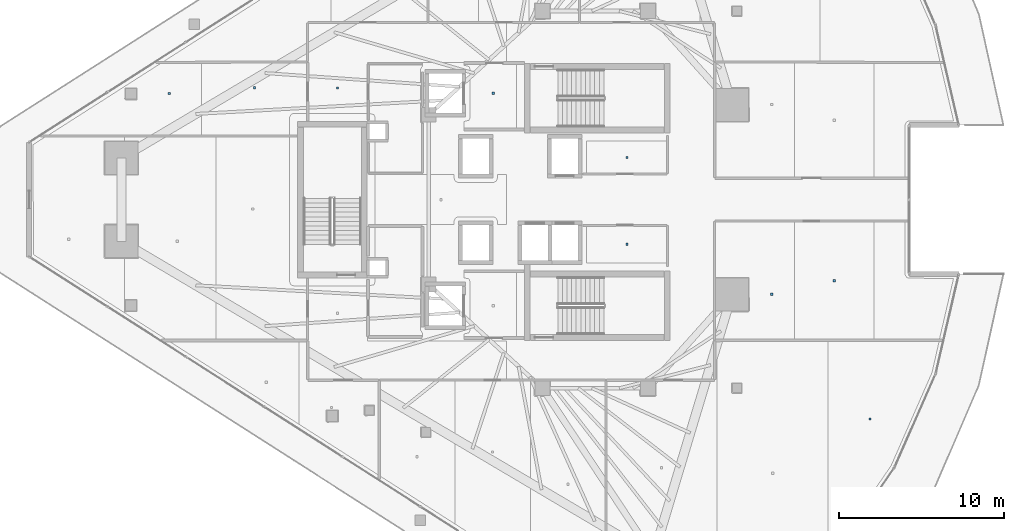
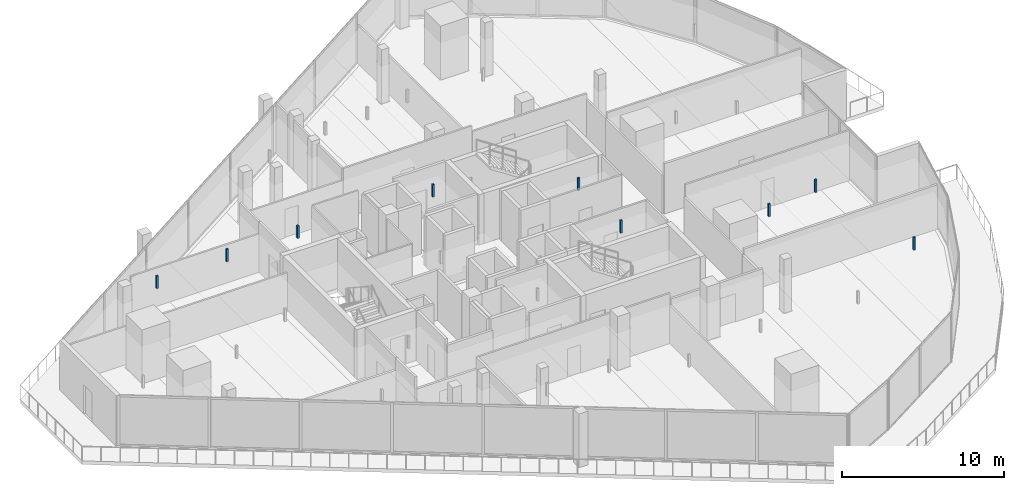
# One storey, part 29 of 36: 9 discrete accessories.
"""IFC4 building model written with IfcOpenShell, lengths in metres."""

import ifcopenshell
import ifcopenshell.guid

model = None  # the IFC model being written
_history = None  # IfcOwnerHistory: only IFC2X3 demands one
_inside = {}  # id of a spatial element -> (the spatial element, [elements in it])
_under = {}  # id of a project, library or spatial element -> (it, [spatial elements below it])
_declared = {}  # id of a project -> (the project, [libraries it declares])
_typed = {}  # id of a type object -> (the type object, [elements of that type])
_made_of = {}  # id of a material, layer set ... -> (it, [elements and type objects made of it])


def new_model(schema):
    """Start an empty IFC model of exactly this schema.

    Asked for "IFC4X3", IfcOpenShell would pick the latest addendum, in which some entities
    have other attributes; the version numbers below select the first issue.
    IFC2X3 requires an IfcOwnerHistory on every rooted entity: one is made here for all.
    """
    global model, _history
    if schema == "IFC4X3":
        model = ifcopenshell.file(schema_version=(4, 3, 0, 0))
    else:
        model = ifcopenshell.file(schema=schema)
    _inside.clear()
    _under.clear()
    _declared.clear()
    _typed.clear()
    _made_of.clear()
    _history = None
    if model.schema == "IFC2X3":
        org = make("IfcOrganization", Name="unknown")
        user = make(
            "IfcPersonAndOrganization",
            ThePerson=make("IfcPerson", FamilyName="unknown"),
            TheOrganization=org,
        )
        app = make(
            "IfcApplication",
            ApplicationDeveloper=org,
            Version="unknown",
            ApplicationFullName="unknown",
            ApplicationIdentifier="unknown",
        )
        _history = make(
            "IfcOwnerHistory",
            OwningUser=user,
            OwningApplication=app,
            ChangeAction="ADDED",
            CreationDate=0,
        )
    return model


def make(cls, **values):
    """One entity of the class cls with the attributes given. An attribute that is None is left unset."""
    return model.create_entity(
        cls, **{name: value for name, value in values.items() if value is not None}
    )


def rooted(cls, **values):
    """An entity with a GlobalId (a new one), such as an element, a storey or a relation."""
    return make(cls, GlobalId=ifcopenshell.guid.new(), OwnerHistory=_history, **values)


def si_unit(unit_type, name, prefix=None):
    """IfcSIUnit, for example si_unit("LENGTHUNIT", "METRE", prefix="MILLI")."""
    return make("IfcSIUnit", UnitType=unit_type, Prefix=prefix, Name=name)


def assignment(units):
    """IfcUnitAssignment: the units of a project."""
    return None if units is None else make("IfcUnitAssignment", Units=units)


def point(xyz):
    """IfcCartesianPoint."""
    return None if xyz is None else make("IfcCartesianPoint", Coordinates=xyz)


def direction(xyz):
    """IfcDirection."""
    return None if xyz is None else make("IfcDirection", DirectionRatios=xyz)


def frame(location, z_axis=None, x_axis=None):
    """IfcAxis2Placement3D, a coordinate frame: its origin and axes. An axis left out is left unset."""
    return make(
        "IfcAxis2Placement3D",
        Location=point(location),
        Axis=direction(z_axis),
        RefDirection=direction(x_axis),
    )


def frame_2d(location, x_axis=None):
    """IfcAxis2Placement2D, a coordinate frame in the plane: its origin and x axis."""
    return make(
        "IfcAxis2Placement2D", Location=point(location), RefDirection=direction(x_axis)
    )


def origin():
    """The frame at (0, 0, 0) with its axes left unset."""
    return frame((0.0, 0.0, 0.0))


def origin_2d():
    """The frame at (0, 0) in the plane with its x axis left unset."""
    return frame_2d((0.0, 0.0))


def place(relative_to, where):
    """IfcLocalPlacement: puts the frame where relative to a parent placement (None: the world)."""
    return make(
        "IfcLocalPlacement", PlacementRelTo=relative_to, RelativePlacement=where
    )


def context(
    kind, dimensions, precision=None, world=None, true_north=None, identifier=None
):
    """IfcGeometricRepresentationContext, for example the 3D "Model" context."""
    return make(
        "IfcGeometricRepresentationContext",
        ContextIdentifier=identifier,
        ContextType=kind,
        CoordinateSpaceDimension=dimensions,
        Precision=precision,
        WorldCoordinateSystem=world,
        TrueNorth=true_north,
    )


def subcontext(parent, identifier, kind, view, scale=None):
    """IfcGeometricRepresentationSubContext, for example "Body" below "Model"."""
    return make(
        "IfcGeometricRepresentationSubContext",
        ContextIdentifier=identifier,
        ContextType=kind,
        ParentContext=parent,
        TargetScale=scale,
        TargetView=view,
    )


def project(units=None, contexts=None):
    """IfcProject with its units and contexts."""
    return rooted(
        "IfcProject",
        Name="project",
        RepresentationContexts=contexts,
        UnitsInContext=assignment(units),
    )


def spatial(cls, under=None, at=None, **own):
    """A site, building, storey or space (cls), placed at a placement, below another one or the project."""
    s = rooted(cls, ObjectPlacement=at, **own)
    if under is not None:
        _under.setdefault(under.id(), (under, []))[1].append(s)
    return s


def profile(cls, at=None, kind="AREA", **sizes):
    """A parametric profile (cls). Its sizes go by their IFC names, for example OverallWidth=200.0."""
    return make(cls, ProfileType=kind, Position=at, **sizes)


def rectangle(**sizes):
    """IfcRectangleProfileDef."""
    return profile("IfcRectangleProfileDef", **sizes)


def extrude(swept, where, along, depth):
    """IfcExtrudedAreaSolid: the profile swept, set in the frame where, extruded along a direction by depth."""
    return make(
        "IfcExtrudedAreaSolid",
        SweptArea=swept,
        Position=where,
        ExtrudedDirection=direction(along),
        Depth=depth,
    )


def shape(context_of_items, identifier, shape_type, items):
    """IfcShapeRepresentation: the items that make up one representation, for example the "Body"."""
    return make(
        "IfcShapeRepresentation",
        ContextOfItems=context_of_items,
        RepresentationIdentifier=identifier,
        RepresentationType=shape_type,
        Items=items,
    )


def material(Name=None, Category=None):
    """IfcMaterial."""
    return make("IfcMaterial", Name=Name, Category=Category)


def made_of(thing, what):
    """Note that an element or type object is made of a material, layer set ...; save() writes the relation."""
    if what is not None:
        _made_of.setdefault(what.id(), (what, []))[1].append(thing)
    return thing


def type_object(cls, material=None, **own):
    """A type object (cls), such as IfcWallType, which elements share."""
    return made_of(rooted(cls, **own), material)


def element(
    cls,
    number,
    at=None,
    inside=None,
    cuts=None,
    type_object=None,
    material=None,
    context=None,
    identifier="Body",
    shape_type=None,
    held_by="IfcProductDefinitionShape",
    body=None,
    shapes=None,
    **own,
):
    """One element of the class cls, such as IfcWall. Its Tag is "e" and its number.

    at: its placement. inside: the storey or other place that contains it. cuts: it is an
    opening in that element (IfcRelVoidsElement). A single representation is given by context,
    identifier, shape_type and body (its items); several are given by shapes. held_by: the class
    of the entity that holds the representations. save() writes the other relations.
    """
    e = rooted(cls, Tag="e%d" % number, ObjectPlacement=at, **own)
    if body is not None:
        shapes = [shape(context, identifier, shape_type, body)]
    if shapes is not None:
        e.Representation = make(held_by, Representations=shapes)
    if inside is not None:
        _inside.setdefault(inside.id(), (inside, []))[1].append(e)
    if cuts is not None:
        rooted(
            "IfcRelVoidsElement", RelatingBuildingElement=cuts, RelatedOpeningElement=e
        )
    if type_object is not None:
        _typed.setdefault(type_object.id(), (type_object, []))[1].append(e)
    return made_of(e, material)


def aggregate(whole, parts):
    """IfcRelAggregates: a whole, such as a stair, and the parts it consists of."""
    return rooted("IfcRelAggregates", RelatingObject=whole, RelatedObjects=parts)


def save(model, path):
    """Write the relations noted so far, then the file.

    IfcRelAggregates (storeys below a building ...), IfcRelContainedInSpatialStructure (elements
    in a storey), IfcRelDefinesByType, IfcRelAssociatesMaterial and IfcRelDeclares: one each for
    every whole, place, type object, material and project.
    """
    for whole, parts in _under.values():
        aggregate(whole, parts)
    for where, things in _inside.values():
        rooted(
            "IfcRelContainedInSpatialStructure",
            RelatedElements=things,
            RelatingStructure=where,
        )
    for kind, things in _typed.values():
        rooted("IfcRelDefinesByType", RelatedObjects=things, RelatingType=kind)
    for what, things in _made_of.values():
        rooted("IfcRelAssociatesMaterial", RelatedObjects=things, RelatingMaterial=what)
    for by, libraries in _declared.values():
        rooted("IfcRelDeclares", RelatingContext=by, RelatedDefinitions=libraries)
    model.write(path)


model = new_model("IFC4")

# Units and contexts
model_context = context("Model", 3, precision=1e-05, world=origin(), true_north=direction((0.0, 1.0)))
body_context = subcontext(model_context, "Body", "Model", "MODEL_VIEW")
ifc_project = project(units=[si_unit("LENGTHUNIT", "METRE"), si_unit("AREAUNIT", "SQUARE_METRE"), si_unit("VOLUMEUNIT", "CUBIC_METRE"), si_unit("PLANEANGLEUNIT", "RADIAN"), si_unit("MASSUNIT", "GRAM", prefix="KILO")], contexts=[model_context])

# Site, building, storey
site_placement = place(None, origin())
site = spatial("IfcSite", under=ifc_project, at=site_placement, CompositionType="ELEMENT")
building_placement = place(site_placement, origin())
building = spatial("IfcBuilding", under=site, at=building_placement, Name="Qorvath Tower", CompositionType="ELEMENT")
storey_placement = place(building_placement, frame((0.0, 0.0, 205.050048828125)))
storey = spatial("IfcBuildingStorey", under=building, at=storey_placement, Name="L47", CompositionType="ELEMENT", Elevation=205.050048828125)

# Discrete accessories
ifc_material = material(Name="Galvanised steel bracket", Category="steel")
discrete_accessory_type = type_object("IfcDiscreteAccessoryType", Name="DA-BRACKET", PredefinedType="BRACKET", material=ifc_material)
for number, where, z_axis, x_axis, name in (
    (1, (-26.590087890625, 6.449951171875, 2.85986328125), (0.0, 0.0, 1.0), (1.0, 0.0, 0.0), "Acoustic Ceiling Suspension Hanger T1-L47-001"),
    (2, (-18.472412109375, 2.5625, 2.85986328125), (0.0, 0.0, 1.0), (1.0, 0.0, 0.0), "Acoustic Ceiling Suspension Hanger T1-L47-003"),
    (3, (-18.472412109375, -2.70751953125, 2.85986328125), (0.0, 0.0, 1.0), (1.0, 0.0, 0.0), "Acoustic Ceiling Suspension Hanger T1-L47-004"),
    (4, (-36.040283203125, 6.782470703125, 2.85986328125), (0.0, 0.0, 1.0), (1.0, 0.0, 0.0), "Acoustic Ceiling Suspension Hanger T1-L47-008"),
    (5, (-3.7177734375, -13.32421875, 2.85986328125), (0.0, 0.0, 1.0), (1.0, 0.0, 0.0), "Acoustic Ceiling Suspension Hanger T1-L47-025"),
    (6, (-9.674560546875, -5.736572265625, 2.85986328125), (0.0, 0.0, 1.0), (1.0, 0.0, 0.0), "Acoustic Ceiling Suspension Hanger T1-L47-026"),
    (7, (-5.886962890625, -4.919677734375, 2.85986328125), (0.0, 0.0, 1.0), (1.0, 0.0, 0.0), "Acoustic Ceiling Suspension Hanger T1-L47-027"),
    (8, (-46.25341796875, 6.44580078125, 2.85986328125), (0.0, 0.0, 1.0), (1.0, 0.0, 0.0), "Acoustic Ceiling Suspension Hanger T1-L47-035"),
    (9, (-41.07958984375, 6.7861328125, 2.85986328125), (0.0, 0.0, 1.0), (1.0, 0.0, 0.0), "Acoustic Ceiling Suspension Hanger T1-L47-036"),
):
    element("IfcDiscreteAccessory", number, at=place(storey_placement, frame(where, z_axis=z_axis, x_axis=x_axis)), inside=storey, type_object=discrete_accessory_type, Name=name, PredefinedType="NOTDEFINED", context=body_context, shape_type="SweptSolid", body=[
        extrude(rectangle(XDim=0.139892578125, YDim=0.139892578125, at=origin_2d()), origin(), (0.0, 0.0, 1.0), 0.9501953125),
    ])

save(model, "model.ifc")
